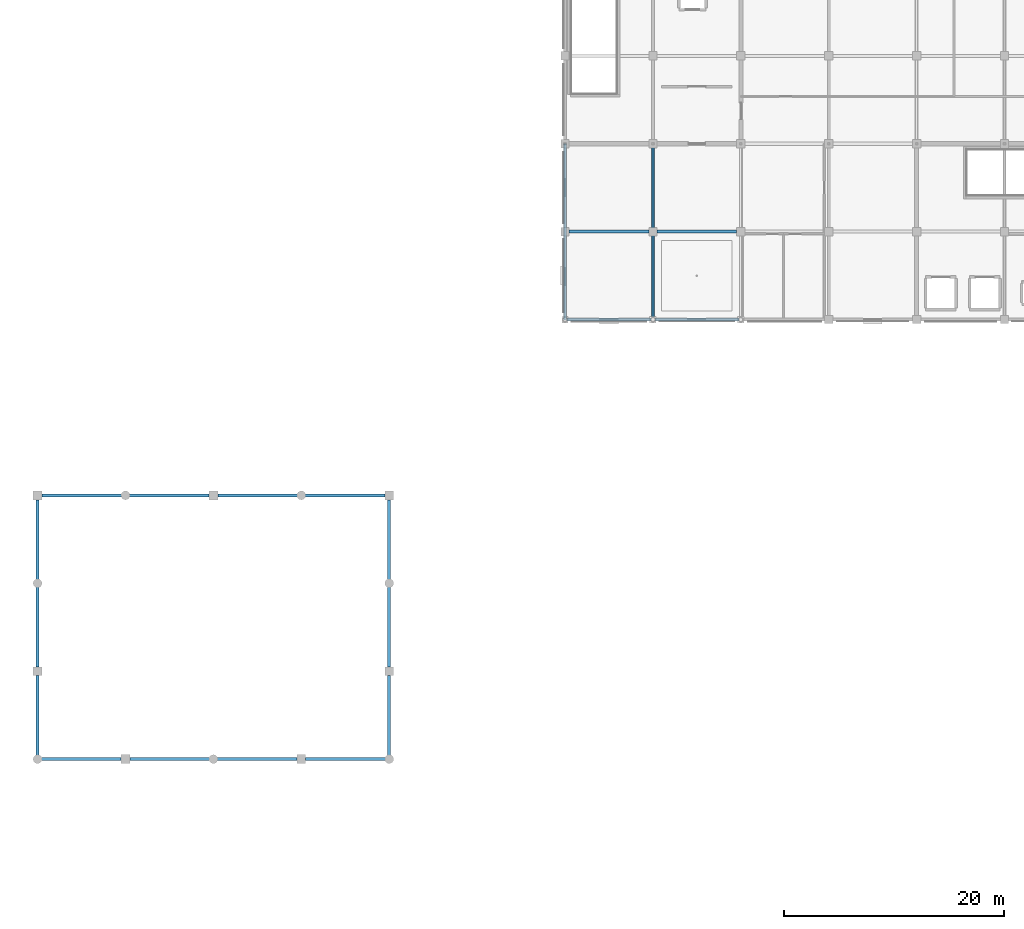
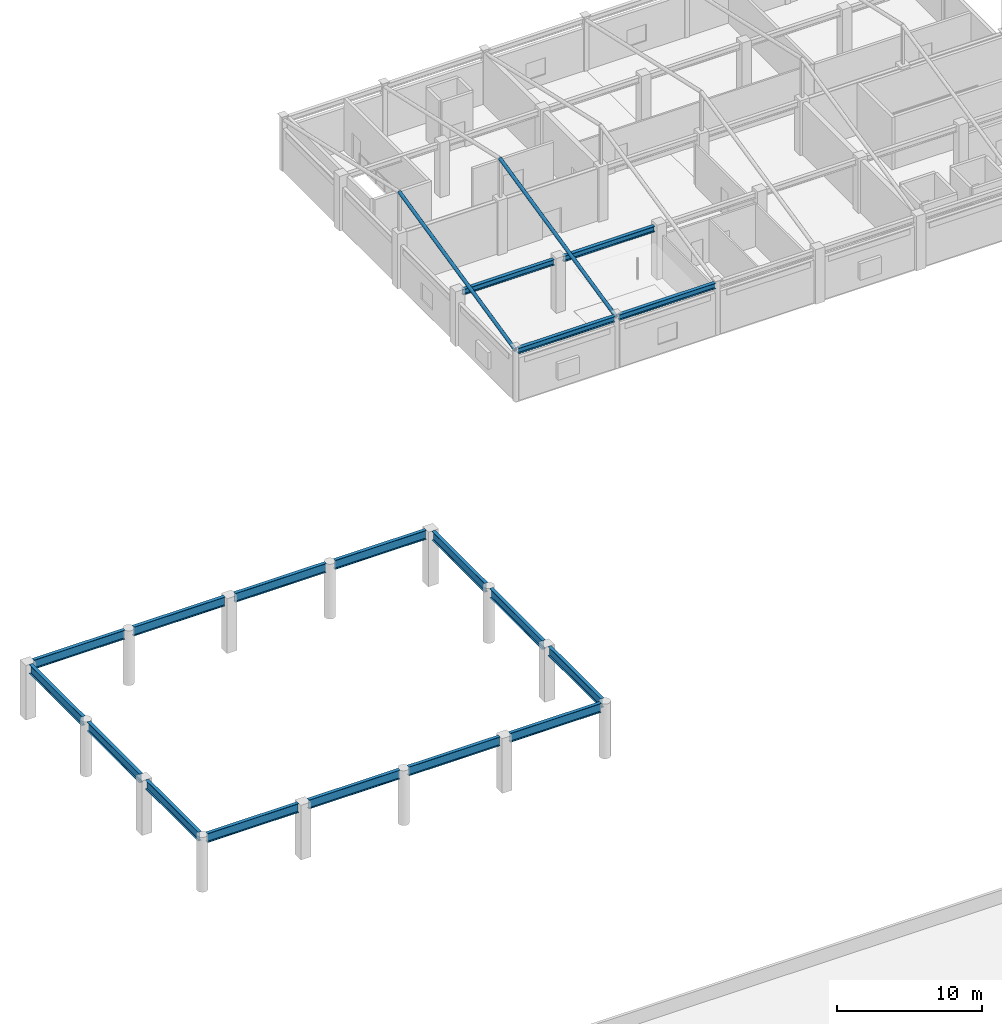
# One storey, part 4 of 16: 18 beams, 2 members.
"""IFC4 building model written with IfcOpenShell, lengths in metres."""

from ifc_helpers import new_model, si_unit, direction, frame, origin, origin_2d, place, context, subcontext, project, spatial, hollow_circle, i_section, extrude, material, material_profile, profile_set, type_object, element, save


model = new_model("IFC4")

# Units and contexts
model_context = context("Model", 3, precision=1e-05, world=origin(), true_north=direction((0.0, 1.0)))
body_context = subcontext(model_context, "Body", "Model", "MODEL_VIEW")
ifc_project = project(units=[si_unit("LENGTHUNIT", "METRE"), si_unit("AREAUNIT", "SQUARE_METRE"), si_unit("VOLUMEUNIT", "CUBIC_METRE"), si_unit("PLANEANGLEUNIT", "RADIAN"), si_unit("MASSUNIT", "GRAM", prefix="KILO")], contexts=[model_context])

# Site, building, storey
site_placement = place(None, origin())
site = spatial("IfcSite", under=ifc_project, at=site_placement, CompositionType="ELEMENT")
building_placement = place(site_placement, origin())
building = spatial("IfcBuilding", under=site, at=building_placement, Name="Solmirada Galleria", CompositionType="ELEMENT")
storey_placement = place(building_placement, frame((0.0, 0.0, 32.89990234375)))
storey = spatial("IfcBuildingStorey", under=building, at=storey_placement, Name="L07", CompositionType="ELEMENT", Elevation=32.89990234375)

# Beams
ifc_material_1 = material(Name="Steel S355 / ASTM A992 Grade 50", Category="steel")
ifc_material_profile_1 = material_profile(ifc_material_1, i_section(OverallWidth=0.26708984375, OverallDepth=0.761962890625, WebThickness=0.014404296875, FlangeThickness=0.021484375, FilletRadius=0.01806640625, at=origin_2d()), Name="W30X116")
ifc_profile_set_1 = profile_set([ifc_material_profile_1], Name="Steel S355 / ASTM A992 Grade 50")
beam_type_1 = type_object("IfcBeamType", Name="BM-DRUM-GIRD", PredefinedType="BEAM", material=ifc_profile_set_1)
for number, where, z_axis, x_axis, name in (
    (1, (80.3359375, 48.0, 4.218994140625), (1.0, 0.0, 0.0), (0.0, 1.0, 0.0), "Atrium drum perimeter girder X=80..88"),
    (2, (80.39990234375, 72.0, 4.218994140625), (1.0, 0.0, 0.0), (0.0, 1.0, 0.0), "Atrium drum perimeter girder X=80..88"),
    (3, (88.39990234375, 48.0, 4.218994140625), (1.0, 0.0, 0.0), (0.0, 1.0, 0.0), "Atrium drum perimeter girder X=88..96"),
    (4, (88.3359375, 72.0, 4.218994140625), (1.0, 0.0, 0.0), (0.0, 1.0, 0.0), "Atrium drum perimeter girder X=88..96"),
    (5, (96.3359375, 48.0, 4.218994140625), (1.0, 0.0, 0.0), (0.0, 1.0, 0.0), "Atrium drum perimeter girder X=96..104"),
    (6, (96.39990234375, 72.0, 4.218994140625), (1.0, 0.0, 0.0), (0.0, 1.0, 0.0), "Atrium drum perimeter girder X=96..104"),
    (7, (104.39990234375, 48.0, 4.218994140625), (1.0, 0.0, 0.0), (0.0, 1.0, 0.0), "Atrium drum perimeter girder X=104..112"),
    (8, (104.3359375, 72.0, 4.218994140625), (1.0, 0.0, 0.0), (0.0, 1.0, 0.0), "Atrium drum perimeter girder X=104..112"),
    (9, (80.0, 48.3359375, 4.218994140625), (0.0, 1.0, 0.0), (-1.0, 0.0, 0.0), "Atrium drum perimeter girder Y=48..56"),
    (10, (112.0, 48.3359375, 4.218994140625), (0.0, 1.0, 0.0), (-1.0, 0.0, 0.0), "Atrium drum perimeter girder Y=48..56"),
    (11, (80.0, 56.39990234375, 4.218994140625), (0.0, 1.0, 0.0), (-1.0, 0.0, 0.0), "Atrium drum perimeter girder Y=56..64"),
    (12, (112.0, 56.39990234375, 4.218994140625), (0.0, 1.0, 0.0), (-1.0, 0.0, 0.0), "Atrium drum perimeter girder Y=56..64"),
    (13, (80.0, 64.3359375, 4.218994140625), (0.0, 1.0, 0.0), (-1.0, 0.0, 0.0), "Atrium drum perimeter girder Y=64..72"),
    (14, (112.0, 64.3359375, 4.218994140625), (0.0, 1.0, 0.0), (-1.0, 0.0, 0.0), "Atrium drum perimeter girder Y=64..72"),
):
    element("IfcBeam", number, at=place(storey_placement, frame(where, z_axis=z_axis, x_axis=x_axis)), inside=storey, type_object=beam_type_1, Name=name, PredefinedType="BEAM", context=body_context, shape_type="SweptSolid", body=[
        extrude(i_section(OverallWidth=0.26708984375, OverallDepth=0.761962890625, WebThickness=0.014404296875, FlangeThickness=0.021484375, FilletRadius=0.01806640625, at=origin_2d()), origin(), (0.0, 0.0, 1.0), 7.26416015625),
    ])
ifc_material_profile_2 = material_profile(ifc_material_1, i_section(OverallWidth=0.281982421875, OverallDepth=0.467041015625, WebThickness=0.01220703125, FlangeThickness=0.01953125, FilletRadius=0.013916015625, at=origin_2d()), Name="W18X86")
ifc_profile_set_2 = profile_set([ifc_material_profile_2], Name="Steel S355 / ASTM A992 Grade 50")
beam_type_2 = type_object("IfcBeamType", Name="BM-GIRD-W18A", PredefinedType="BEAM", material=ifc_profile_set_2)
beam_1_placement = place(storey_placement, frame((128.17041015625, 88.0, 4.150146484375), z_axis=(1.0, 0.0, 0.0), x_axis=(0.0, 1.0, 0.0)))
element("IfcBeam", 15, at=beam_1_placement, inside=storey, type_object=beam_type_2, Name="NE roof tie girder X=128..136", PredefinedType="BEAM", context=body_context, shape_type="SweptSolid", body=[
    extrude(i_section(OverallWidth=0.281982421875, OverallDepth=0.467041015625, WebThickness=0.01220703125, FlangeThickness=0.01953125, FilletRadius=0.013916015625, at=origin_2d()), origin(), (0.0, 0.0, 1.0), 7.6591796875),
])
beam_2_placement = place(storey_placement, frame((128.375, 96.0, 4.150146484375), z_axis=(1.0, 0.0, 0.0), x_axis=(0.0, 1.0, 0.0)))
element("IfcBeam", 16, at=beam_2_placement, inside=storey, type_object=beam_type_2, Name="NE roof tie girder X=128..136", PredefinedType="BEAM", context=body_context, shape_type="SweptSolid", body=[
    extrude(i_section(OverallWidth=0.281982421875, OverallDepth=0.467041015625, WebThickness=0.01220703125, FlangeThickness=0.01953125, FilletRadius=0.013916015625, at=origin_2d()), origin(), (0.0, 0.0, 1.0), 7.25),
])
beam_3_placement = place(storey_placement, frame((136.17041015625, 88.0, 4.150146484375), z_axis=(1.0, 0.0, 0.0), x_axis=(0.0, 1.0, 0.0)))
element("IfcBeam", 17, at=beam_3_placement, inside=storey, type_object=beam_type_2, Name="NE roof tie girder X=136..144", PredefinedType="BEAM", context=body_context, shape_type="SweptSolid", body=[
    extrude(i_section(OverallWidth=0.281982421875, OverallDepth=0.467041015625, WebThickness=0.01220703125, FlangeThickness=0.01953125, FilletRadius=0.013916015625, at=origin_2d()), origin(), (0.0, 0.0, 1.0), 7.6591796875),
])
beam_4_placement = place(storey_placement, frame((136.375, 96.0, 4.150146484375), z_axis=(1.0, 0.0, 0.0), x_axis=(0.0, 1.0, 0.0)))
element("IfcBeam", 18, at=beam_4_placement, inside=storey, type_object=beam_type_2, Name="NE roof tie girder X=136..144", PredefinedType="BEAM", context=body_context, shape_type="SweptSolid", body=[
    extrude(i_section(OverallWidth=0.281982421875, OverallDepth=0.467041015625, WebThickness=0.01220703125, FlangeThickness=0.01953125, FilletRadius=0.013916015625, at=origin_2d()), origin(), (0.0, 0.0, 1.0), 7.25),
])

# Members
ifc_material_2 = material(Name="Steel S355 / ASTM A500 Grade C", Category="steel")
ifc_material_profile_3 = material_profile(ifc_material_2, hollow_circle(Radius=0.136474609375, WallThickness=0.0087890625, at=origin_2d()), Name="HSS10.750X0.375")
ifc_profile_set_3 = profile_set([ifc_material_profile_3], Name="Steel S355 / ASTM A500 Grade C")
member_type = type_object("IfcMemberType", Name="MEM-FH-CHORD", PredefinedType="CHORD", material=ifc_profile_set_3)
for number, where, z_axis, x_axis, name in (
    (19, (128.0, 88.0, 4.2001953125), (0.0, 0.97561166892, 0.219503693515), (-1.0, 0.0, 0.0), "NE pediment south rafter X=128"),
    (20, (136.0, 88.0, 4.2001953125), (0.0, 0.97561166892, 0.219503693515), (-1.0, 0.0, 0.0), "NE pediment south rafter X=136"),
):
    element("IfcMember", number, at=place(storey_placement, frame(where, z_axis=z_axis, x_axis=x_axis)), inside=storey, type_object=member_type, Name=name, PredefinedType="CHORD", context=body_context, shape_type="SweptSolid", body=[
        extrude(hollow_circle(Radius=0.136474609375, WallThickness=0.0087890625, at=origin_2d()), origin(), (0.0, 0.0, 1.0), 16.39990234375),
    ])

save(model, "model.ifc")
